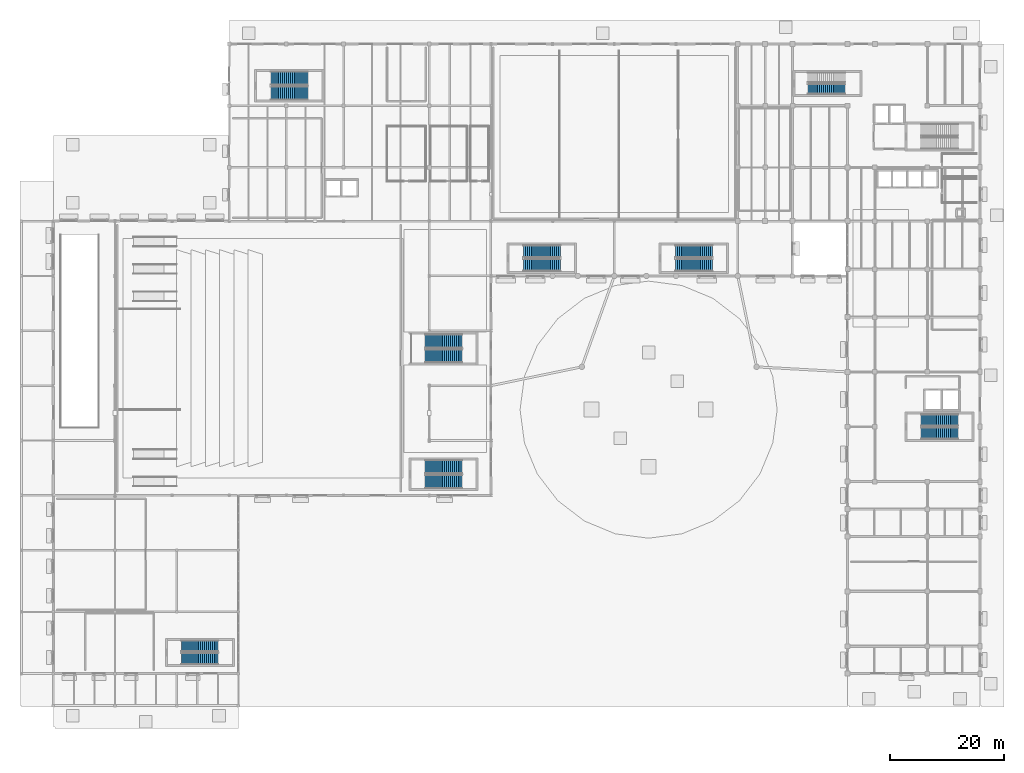
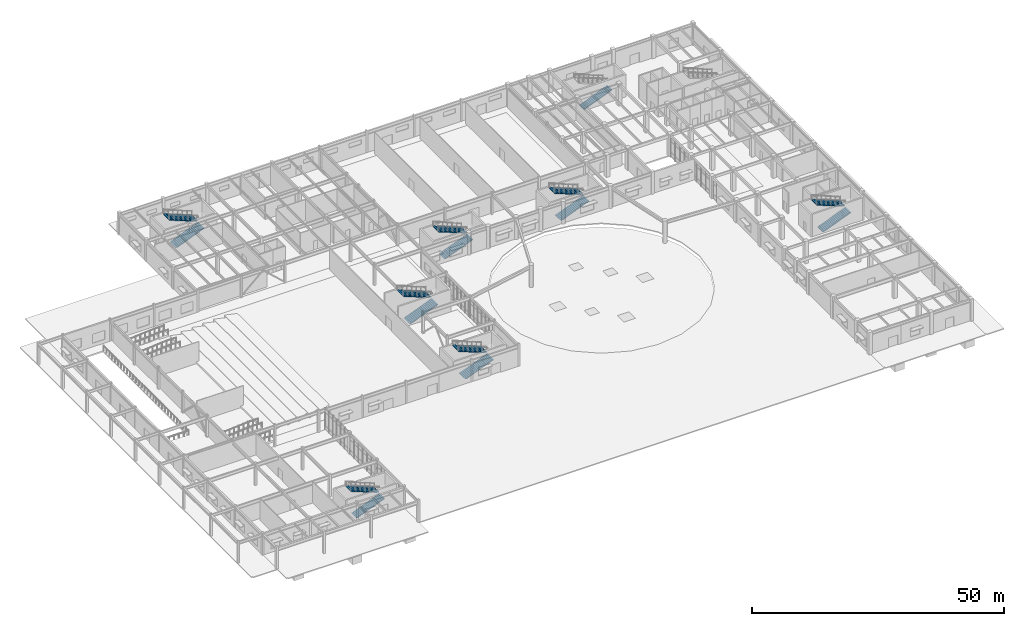
# One storey, part 37 of 54: 15 stair flights, 8 elements without a shape of their own.
"""IFC4 building model written with IfcOpenShell, lengths in metres."""

from ifc_helpers import new_model, si_unit, direction, frame, origin, place, context, subcontext, project, spatial, polyline, outline, extrude, material, type_object, element, aggregate, save


model = new_model("IFC4")

# Units and contexts
model_context = context("Model", 3, precision=1e-05, world=origin(), true_north=direction((0.0, 1.0)))
body_context = subcontext(model_context, "Body", "Model", "MODEL_VIEW")
ifc_project = project(units=[si_unit("LENGTHUNIT", "METRE"), si_unit("AREAUNIT", "SQUARE_METRE"), si_unit("VOLUMEUNIT", "CUBIC_METRE"), si_unit("PLANEANGLEUNIT", "RADIAN"), si_unit("MASSUNIT", "GRAM", prefix="KILO")], contexts=[model_context])

# Site, building, storey
site_placement = place(None, origin())
site = spatial("IfcSite", under=ifc_project, at=site_placement, CompositionType="ELEMENT")
building_placement = place(site_placement, origin())
building = spatial("IfcBuilding", under=site, at=building_placement, Name="Veldera Park Congress Hotel", CompositionType="ELEMENT")
storey_placement = place(building_placement, origin())
storey = spatial("IfcBuildingStorey", under=building, at=storey_placement, Name="L00", CompositionType="ELEMENT", Elevation=0.0)

# Stair, stair flights
ifc_material = material(Name="Concrete f'c 40 MPa (5,800 psi)", Category="concrete")
stair_type_1 = type_object("IfcStairType", Name="ST2", PredefinedType="HALF_TURN_STAIR", material=ifc_material)
stair_1_placement = place(storey_placement, origin())
stair_1 = element("IfcStair", 1, at=stair_1_placement, inside=storey, type_object=stair_type_1, Name="L00 Protected Exit Stair ST2", PredefinedType="HALF_TURN_STAIR")
stair_flight_type_1 = type_object("IfcStairFlightType", Name="SFL-ST2", PredefinedType="STRAIGHT", material=ifc_material)
stair_flight_1_placement = place(storey_placement, frame((73.699951171875, -10.14990234375, 0.0), z_axis=(0.0, 0.0, 1.0), x_axis=(1.0, 0.0, 0.0)))
stair_flight_1 = element("IfcStairFlight", 2, at=stair_flight_1_placement, type_object=stair_flight_type_1, Name="ST2 flight 1", NumberOfRisers=20, NumberOfTreads=19, PredefinedType="STRAIGHT", RiserHeight=0.135, TreadLength=0.34, context=body_context, shape_type="SweptSolid", body=[
    extrude(outline(polyline([(0.0, 0.0), (0.0, 0.135009765625), (0.340087890625, 0.135009765625), (0.340087890625, 0.27001953125), (0.679931640625, 0.27001953125), (0.679931640625, 0.405029296875), (1.02001953125, 0.405029296875), (1.02001953125, 0.5400390625), (1.360107421875, 0.5400390625), (1.360107421875, 0.675048828125), (1.699951171875, 0.675048828125), (1.699951171875, 0.81005859375), (2.0400390625, 0.81005859375), (2.0400390625, 0.945068359375), (2.3798828125, 0.945068359375), (2.3798828125, 1.080078125), (2.719970703125, 1.080078125), (2.719970703125, 1.215087890625), (3.06005859375, 1.215087890625), (3.06005859375, 1.35009765625), (3.39990234375, 1.35009765625), (3.39990234375, 1.485107421875), (3.739990234375, 1.485107421875), (3.739990234375, 1.6201171875), (4.080078125, 1.6201171875), (4.080078125, 1.7548828125), (4.419921875, 1.7548828125), (4.419921875, 1.889892578125), (4.760009765625, 1.889892578125), (4.760009765625, 2.02490234375), (5.10009765625, 2.02490234375), (5.10009765625, 2.159912109375), (5.43994140625, 2.159912109375), (5.43994140625, 2.294921875), (5.780029296875, 2.294921875), (5.780029296875, 2.429931640625), (6.1201171875, 2.429931640625), (6.1201171875, 2.56494140625), (6.4599609375, 2.56494140625), (6.4599609375, 2.699951171875), (6.4599609375, 2.699951171875), (6.4599609375, 2.371337890625), (0.487548828125, 0.0), (0.0, 0.0)])), frame((0.0, 1.050048828125, 0.0), z_axis=(0.0, -1.0, 0.0), x_axis=(1.0, 0.0, 0.0)), (0.0, 0.0, 1.0), 2.10009765625),
])
stair_flight_2_placement = place(storey_placement, frame((80.159912109375, -7.85009765625, 2.699951171875), z_axis=(0.0, 0.0, 1.0), x_axis=(-1.0, 0.0, 0.0)))
stair_flight_2 = element("IfcStairFlight", 3, at=stair_flight_2_placement, type_object=stair_flight_type_1, Name="ST2 flight 2", NumberOfRisers=20, NumberOfTreads=19, PredefinedType="STRAIGHT", RiserHeight=0.135, TreadLength=0.34, context=body_context, shape_type="SweptSolid", body=[
    extrude(outline(polyline([(0.0, 0.0), (0.0, 0.135009765625), (0.340087890625, 0.135009765625), (0.340087890625, 0.27001953125), (0.679931640625, 0.27001953125), (0.679931640625, 0.405029296875), (1.02001953125, 0.405029296875), (1.02001953125, 0.5400390625), (1.360107421875, 0.5400390625), (1.360107421875, 0.675048828125), (1.699951171875, 0.675048828125), (1.699951171875, 0.81005859375), (2.0400390625, 0.81005859375), (2.0400390625, 0.945068359375), (2.3798828125, 0.945068359375), (2.3798828125, 1.080078125), (2.719970703125, 1.080078125), (2.719970703125, 1.215087890625), (3.06005859375, 1.215087890625), (3.06005859375, 1.35009765625), (3.39990234375, 1.35009765625), (3.39990234375, 1.485107421875), (3.739990234375, 1.485107421875), (3.739990234375, 1.6201171875), (4.080078125, 1.6201171875), (4.080078125, 1.7548828125), (4.419921875, 1.7548828125), (4.419921875, 1.889892578125), (4.760009765625, 1.889892578125), (4.760009765625, 2.02490234375), (5.10009765625, 2.02490234375), (5.10009765625, 2.159912109375), (5.43994140625, 2.159912109375), (5.43994140625, 2.294921875), (5.780029296875, 2.294921875), (5.780029296875, 2.429931640625), (6.1201171875, 2.429931640625), (6.1201171875, 2.56494140625), (6.4599609375, 2.56494140625), (6.4599609375, 2.699951171875), (6.4599609375, 2.699951171875), (6.4599609375, 2.371337890625), (0.487548828125, 0.0), (0.0, 0.0)])), frame((0.0, 1.050048828125, 0.0), z_axis=(0.0, -1.0, 0.0), x_axis=(1.0, 0.0, 0.0)), (0.0, 0.0, 1.0), 2.10009765625),
])
aggregate(stair_1, [stair_flight_1, stair_flight_2])

# Stair, stair flight
stair_type_2 = type_object("IfcStairType", Name="ST3", PredefinedType="HALF_TURN_STAIR", material=ifc_material)
stair_2_placement = place(storey_placement, origin())
stair_2 = element("IfcStair", 4, at=stair_2_placement, inside=storey, type_object=stair_type_2, Name="L00 Protected Exit Stair ST3", PredefinedType="HALF_TURN_STAIR")
stair_flight_type_2 = type_object("IfcStairFlightType", Name="SFL-ST3", PredefinedType="STRAIGHT", material=ifc_material)
stair_flight_3_placement = place(storey_placement, frame((53.89990234375, 50.10009765625, 0.0), z_axis=(0.0, 0.0, 1.0), x_axis=(1.0, 0.0, 0.0)))
stair_flight_3 = element("IfcStairFlight", 5, at=stair_flight_3_placement, type_object=stair_flight_type_2, Name="ST3 flight 1", NumberOfRisers=20, NumberOfTreads=19, PredefinedType="STRAIGHT", RiserHeight=0.135, TreadLength=0.34, context=body_context, shape_type="SweptSolid", body=[
    extrude(outline(polyline([(0.0, 0.0), (0.0, 0.135009765625), (0.340087890625, 0.135009765625), (0.340087890625, 0.27001953125), (0.679931640625, 0.27001953125), (0.679931640625, 0.405029296875), (1.02001953125, 0.405029296875), (1.02001953125, 0.5400390625), (1.360107421875, 0.5400390625), (1.360107421875, 0.675048828125), (1.699951171875, 0.675048828125), (1.699951171875, 0.81005859375), (2.0400390625, 0.81005859375), (2.0400390625, 0.945068359375), (2.3798828125, 0.945068359375), (2.3798828125, 1.080078125), (2.719970703125, 1.080078125), (2.719970703125, 1.215087890625), (3.06005859375, 1.215087890625), (3.06005859375, 1.35009765625), (3.39990234375, 1.35009765625), (3.39990234375, 1.485107421875), (3.739990234375, 1.485107421875), (3.739990234375, 1.6201171875), (4.080078125, 1.6201171875), (4.080078125, 1.7548828125), (4.419921875, 1.7548828125), (4.419921875, 1.889892578125), (4.760009765625, 1.889892578125), (4.760009765625, 2.02490234375), (5.10009765625, 2.02490234375), (5.10009765625, 2.159912109375), (5.43994140625, 2.159912109375), (5.43994140625, 2.294921875), (5.780029296875, 2.294921875), (5.780029296875, 2.429931640625), (6.1201171875, 2.429931640625), (6.1201171875, 2.56494140625), (6.4599609375, 2.56494140625), (6.4599609375, 2.699951171875), (6.4599609375, 2.699951171875), (6.4599609375, 2.371337890625), (0.487548828125, 0.0), (0.0, 0.0)])), frame((0.0, 0.89990234375, 0.0), z_axis=(0.0, -1.0, 0.0), x_axis=(1.0, 0.0, 0.0)), (0.0, 0.0, 1.0), 1.800048828125),
])
aggregate(stair_2, [stair_flight_3])

# Stair, stair flights
stair_type_3 = type_object("IfcStairType", Name="ST4", PredefinedType="HALF_TURN_STAIR", material=ifc_material)
stair_3_placement = place(storey_placement, origin())
stair_3 = element("IfcStair", 6, at=stair_3_placement, inside=storey, type_object=stair_type_3, Name="L00 Protected Exit Stair ST4", PredefinedType="HALF_TURN_STAIR")
stair_flight_type_3 = type_object("IfcStairFlightType", Name="SFL-ST4", PredefinedType="STRAIGHT", material=ifc_material)
stair_flight_4_placement = place(storey_placement, frame((-40.10009765625, 49.39990234375, 0.0), z_axis=(0.0, 0.0, 1.0), x_axis=(1.0, 0.0, 0.0)))
stair_flight_4 = element("IfcStairFlight", 7, at=stair_flight_4_placement, type_object=stair_flight_type_3, Name="ST4 flight 1", NumberOfRisers=20, NumberOfTreads=19, PredefinedType="STRAIGHT", RiserHeight=0.135, TreadLength=0.34, context=body_context, shape_type="SweptSolid", body=[
    extrude(outline(polyline([(0.0, 0.0), (0.0, 0.135009765625), (0.340087890625, 0.135009765625), (0.340087890625, 0.27001953125), (0.679931640625, 0.27001953125), (0.679931640625, 0.405029296875), (1.02001953125, 0.405029296875), (1.02001953125, 0.5400390625), (1.360107421875, 0.5400390625), (1.360107421875, 0.675048828125), (1.699951171875, 0.675048828125), (1.699951171875, 0.81005859375), (2.0400390625, 0.81005859375), (2.0400390625, 0.945068359375), (2.3798828125, 0.945068359375), (2.3798828125, 1.080078125), (2.719970703125, 1.080078125), (2.719970703125, 1.215087890625), (3.06005859375, 1.215087890625), (3.06005859375, 1.35009765625), (3.39990234375, 1.35009765625), (3.39990234375, 1.485107421875), (3.739990234375, 1.485107421875), (3.739990234375, 1.6201171875), (4.080078125, 1.6201171875), (4.080078125, 1.7548828125), (4.419921875, 1.7548828125), (4.419921875, 1.889892578125), (4.760009765625, 1.889892578125), (4.760009765625, 2.02490234375), (5.10009765625, 2.02490234375), (5.10009765625, 2.159912109375), (5.43994140625, 2.159912109375), (5.43994140625, 2.294921875), (5.780029296875, 2.294921875), (5.780029296875, 2.429931640625), (6.1201171875, 2.429931640625), (6.1201171875, 2.56494140625), (6.4599609375, 2.56494140625), (6.4599609375, 2.699951171875), (6.4599609375, 2.699951171875), (6.4599609375, 2.371337890625), (0.487548828125, 0.0), (0.0, 0.0)])), frame((0.0, 1.199951171875, 0.0), z_axis=(0.0, -1.0, 0.0), x_axis=(1.0, 0.0, 0.0)), (0.0, 0.0, 1.0), 2.39990234375),
])
stair_flight_5_placement = place(storey_placement, frame((-33.639892578125, 52.0, 2.699951171875), z_axis=(0.0, 0.0, 1.0), x_axis=(-1.0, 0.0, 0.0)))
stair_flight_5 = element("IfcStairFlight", 8, at=stair_flight_5_placement, type_object=stair_flight_type_3, Name="ST4 flight 2", NumberOfRisers=20, NumberOfTreads=19, PredefinedType="STRAIGHT", RiserHeight=0.135, TreadLength=0.34, context=body_context, shape_type="SweptSolid", body=[
    extrude(outline(polyline([(0.0, 0.0), (0.0, 0.135009765625), (0.340087890625, 0.135009765625), (0.340087890625, 0.27001953125), (0.679931640625, 0.27001953125), (0.679931640625, 0.405029296875), (1.02001953125, 0.405029296875), (1.02001953125, 0.5400390625), (1.360107421875, 0.5400390625), (1.360107421875, 0.675048828125), (1.699951171875, 0.675048828125), (1.699951171875, 0.81005859375), (2.0400390625, 0.81005859375), (2.0400390625, 0.945068359375), (2.3798828125, 0.945068359375), (2.3798828125, 1.080078125), (2.719970703125, 1.080078125), (2.719970703125, 1.215087890625), (3.06005859375, 1.215087890625), (3.06005859375, 1.35009765625), (3.39990234375, 1.35009765625), (3.39990234375, 1.485107421875), (3.739990234375, 1.485107421875), (3.739990234375, 1.6201171875), (4.080078125, 1.6201171875), (4.080078125, 1.7548828125), (4.419921875, 1.7548828125), (4.419921875, 1.889892578125), (4.760009765625, 1.889892578125), (4.760009765625, 2.02490234375), (5.10009765625, 2.02490234375), (5.10009765625, 2.159912109375), (5.43994140625, 2.159912109375), (5.43994140625, 2.294921875), (5.780029296875, 2.294921875), (5.780029296875, 2.429931640625), (6.1201171875, 2.429931640625), (6.1201171875, 2.56494140625), (6.4599609375, 2.56494140625), (6.4599609375, 2.699951171875), (6.4599609375, 2.699951171875), (6.4599609375, 2.371337890625), (0.487548828125, 0.0), (0.0, 0.0)])), frame((0.0, 1.199951171875, 0.0), z_axis=(0.0, -1.0, 0.0), x_axis=(1.0, 0.0, 0.0)), (0.0, 0.0, 1.0), 2.39990234375),
])
aggregate(stair_3, [stair_flight_4, stair_flight_5])

stair_type_4 = type_object("IfcStairType", Name="ST5", PredefinedType="HALF_TURN_STAIR", material=ifc_material)
stair_4_placement = place(storey_placement, origin())
stair_4 = element("IfcStair", 9, at=stair_4_placement, inside=storey, type_object=stair_type_4, Name="L00 Protected Exit Stair ST5", PredefinedType="HALF_TURN_STAIR")
stair_flight_type_4 = type_object("IfcStairFlightType", Name="SFL-ST5", PredefinedType="STRAIGHT", material=ifc_material)
stair_flight_6_placement = place(storey_placement, frame((-13.10009765625, -18.60009765625, 0.0), z_axis=(0.0, 0.0, 1.0), x_axis=(1.0, 0.0, 0.0)))
stair_flight_6 = element("IfcStairFlight", 10, at=stair_flight_6_placement, type_object=stair_flight_type_4, Name="ST5 flight 1", NumberOfRisers=20, NumberOfTreads=19, PredefinedType="STRAIGHT", RiserHeight=0.135, TreadLength=0.34, context=body_context, shape_type="SweptSolid", body=[
    extrude(outline(polyline([(0.0, 0.0), (0.0, 0.135009765625), (0.340087890625, 0.135009765625), (0.340087890625, 0.27001953125), (0.679931640625, 0.27001953125), (0.679931640625, 0.405029296875), (1.02001953125, 0.405029296875), (1.02001953125, 0.5400390625), (1.360107421875, 0.5400390625), (1.360107421875, 0.675048828125), (1.699951171875, 0.675048828125), (1.699951171875, 0.81005859375), (2.0400390625, 0.81005859375), (2.0400390625, 0.945068359375), (2.3798828125, 0.945068359375), (2.3798828125, 1.080078125), (2.719970703125, 1.080078125), (2.719970703125, 1.215087890625), (3.06005859375, 1.215087890625), (3.06005859375, 1.35009765625), (3.39990234375, 1.35009765625), (3.39990234375, 1.485107421875), (3.739990234375, 1.485107421875), (3.739990234375, 1.6201171875), (4.080078125, 1.6201171875), (4.080078125, 1.7548828125), (4.419921875, 1.7548828125), (4.419921875, 1.889892578125), (4.760009765625, 1.889892578125), (4.760009765625, 2.02490234375), (5.10009765625, 2.02490234375), (5.10009765625, 2.159912109375), (5.43994140625, 2.159912109375), (5.43994140625, 2.294921875), (5.780029296875, 2.294921875), (5.780029296875, 2.429931640625), (6.1201171875, 2.429931640625), (6.1201171875, 2.56494140625), (6.4599609375, 2.56494140625), (6.4599609375, 2.699951171875), (6.4599609375, 2.699951171875), (6.4599609375, 2.371337890625), (0.487548828125, 0.0), (0.0, 0.0)])), frame((0.0, 1.199951171875, 0.0), z_axis=(0.0, -1.0, 0.0), x_axis=(1.0, 0.0, 0.0)), (0.0, 0.0, 1.0), 2.39990234375),
])
stair_flight_7_placement = place(storey_placement, frame((-6.639892578125, -16.0, 2.699951171875), z_axis=(0.0, 0.0, 1.0), x_axis=(-1.0, 0.0, 0.0)))
stair_flight_7 = element("IfcStairFlight", 11, at=stair_flight_7_placement, type_object=stair_flight_type_4, Name="ST5 flight 2", NumberOfRisers=20, NumberOfTreads=19, PredefinedType="STRAIGHT", RiserHeight=0.135, TreadLength=0.34, context=body_context, shape_type="SweptSolid", body=[
    extrude(outline(polyline([(0.0, 0.0), (0.0, 0.135009765625), (0.340087890625, 0.135009765625), (0.340087890625, 0.27001953125), (0.679931640625, 0.27001953125), (0.679931640625, 0.405029296875), (1.02001953125, 0.405029296875), (1.02001953125, 0.5400390625), (1.360107421875, 0.5400390625), (1.360107421875, 0.675048828125), (1.699951171875, 0.675048828125), (1.699951171875, 0.81005859375), (2.0400390625, 0.81005859375), (2.0400390625, 0.945068359375), (2.3798828125, 0.945068359375), (2.3798828125, 1.080078125), (2.719970703125, 1.080078125), (2.719970703125, 1.215087890625), (3.06005859375, 1.215087890625), (3.06005859375, 1.35009765625), (3.39990234375, 1.35009765625), (3.39990234375, 1.485107421875), (3.739990234375, 1.485107421875), (3.739990234375, 1.6201171875), (4.080078125, 1.6201171875), (4.080078125, 1.7548828125), (4.419921875, 1.7548828125), (4.419921875, 1.889892578125), (4.760009765625, 1.889892578125), (4.760009765625, 2.02490234375), (5.10009765625, 2.02490234375), (5.10009765625, 2.159912109375), (5.43994140625, 2.159912109375), (5.43994140625, 2.294921875), (5.780029296875, 2.294921875), (5.780029296875, 2.429931640625), (6.1201171875, 2.429931640625), (6.1201171875, 2.56494140625), (6.4599609375, 2.56494140625), (6.4599609375, 2.699951171875), (6.4599609375, 2.699951171875), (6.4599609375, 2.371337890625), (0.487548828125, 0.0), (0.0, 0.0)])), frame((0.0, 1.199951171875, 0.0), z_axis=(0.0, -1.0, 0.0), x_axis=(1.0, 0.0, 0.0)), (0.0, 0.0, 1.0), 2.39990234375),
])
aggregate(stair_4, [stair_flight_6, stair_flight_7])

stair_type_5 = type_object("IfcStairType", Name="ST6", PredefinedType="HALF_TURN_STAIR", material=ifc_material)
stair_5_placement = place(storey_placement, origin())
stair_5 = element("IfcStair", 12, at=stair_5_placement, inside=storey, type_object=stair_type_5, Name="L00 Protected Exit Stair ST6", PredefinedType="HALF_TURN_STAIR")
stair_flight_type_5 = type_object("IfcStairFlightType", Name="SFL-ST6", PredefinedType="STRAIGHT", material=ifc_material)
stair_flight_8_placement = place(storey_placement, frame((4.10009765625, 19.300048828125, 0.0), z_axis=(0.0, 0.0, 1.0), x_axis=(1.0, 0.0, 0.0)))
stair_flight_8 = element("IfcStairFlight", 13, at=stair_flight_8_placement, type_object=stair_flight_type_5, Name="ST6 flight 1", NumberOfRisers=20, NumberOfTreads=19, PredefinedType="STRAIGHT", RiserHeight=0.135, TreadLength=0.34, context=body_context, shape_type="SweptSolid", body=[
    extrude(outline(polyline([(0.0, 0.0), (0.0, 0.135009765625), (0.340087890625, 0.135009765625), (0.340087890625, 0.27001953125), (0.679931640625, 0.27001953125), (0.679931640625, 0.405029296875), (1.02001953125, 0.405029296875), (1.02001953125, 0.5400390625), (1.360107421875, 0.5400390625), (1.360107421875, 0.675048828125), (1.699951171875, 0.675048828125), (1.699951171875, 0.81005859375), (2.0400390625, 0.81005859375), (2.0400390625, 0.945068359375), (2.3798828125, 0.945068359375), (2.3798828125, 1.080078125), (2.719970703125, 1.080078125), (2.719970703125, 1.215087890625), (3.06005859375, 1.215087890625), (3.06005859375, 1.35009765625), (3.39990234375, 1.35009765625), (3.39990234375, 1.485107421875), (3.739990234375, 1.485107421875), (3.739990234375, 1.6201171875), (4.080078125, 1.6201171875), (4.080078125, 1.7548828125), (4.419921875, 1.7548828125), (4.419921875, 1.889892578125), (4.760009765625, 1.889892578125), (4.760009765625, 2.02490234375), (5.10009765625, 2.02490234375), (5.10009765625, 2.159912109375), (5.43994140625, 2.159912109375), (5.43994140625, 2.294921875), (5.780029296875, 2.294921875), (5.780029296875, 2.429931640625), (6.1201171875, 2.429931640625), (6.1201171875, 2.56494140625), (6.4599609375, 2.56494140625), (6.4599609375, 2.699951171875), (6.4599609375, 2.699951171875), (6.4599609375, 2.371337890625), (0.487548828125, 0.0), (0.0, 0.0)])), frame((0.0, 1.10009765625, 0.0), z_axis=(0.0, -1.0, 0.0), x_axis=(1.0, 0.0, 0.0)), (0.0, 0.0, 1.0), 2.199951171875),
])
stair_flight_9_placement = place(storey_placement, frame((10.56005859375, 21.699951171875, 2.699951171875), z_axis=(0.0, 0.0, 1.0), x_axis=(-1.0, 0.0, 0.0)))
stair_flight_9 = element("IfcStairFlight", 14, at=stair_flight_9_placement, type_object=stair_flight_type_5, Name="ST6 flight 2", NumberOfRisers=20, NumberOfTreads=19, PredefinedType="STRAIGHT", RiserHeight=0.135, TreadLength=0.34, context=body_context, shape_type="SweptSolid", body=[
    extrude(outline(polyline([(0.0, 0.0), (0.0, 0.135009765625), (0.340087890625, 0.135009765625), (0.340087890625, 0.27001953125), (0.679931640625, 0.27001953125), (0.679931640625, 0.405029296875), (1.02001953125, 0.405029296875), (1.02001953125, 0.5400390625), (1.360107421875, 0.5400390625), (1.360107421875, 0.675048828125), (1.699951171875, 0.675048828125), (1.699951171875, 0.81005859375), (2.0400390625, 0.81005859375), (2.0400390625, 0.945068359375), (2.3798828125, 0.945068359375), (2.3798828125, 1.080078125), (2.719970703125, 1.080078125), (2.719970703125, 1.215087890625), (3.06005859375, 1.215087890625), (3.06005859375, 1.35009765625), (3.39990234375, 1.35009765625), (3.39990234375, 1.485107421875), (3.739990234375, 1.485107421875), (3.739990234375, 1.6201171875), (4.080078125, 1.6201171875), (4.080078125, 1.7548828125), (4.419921875, 1.7548828125), (4.419921875, 1.889892578125), (4.760009765625, 1.889892578125), (4.760009765625, 2.02490234375), (5.10009765625, 2.02490234375), (5.10009765625, 2.159912109375), (5.43994140625, 2.159912109375), (5.43994140625, 2.294921875), (5.780029296875, 2.294921875), (5.780029296875, 2.429931640625), (6.1201171875, 2.429931640625), (6.1201171875, 2.56494140625), (6.4599609375, 2.56494140625), (6.4599609375, 2.699951171875), (6.4599609375, 2.699951171875), (6.4599609375, 2.371337890625), (0.487548828125, 0.0), (0.0, 0.0)])), frame((0.0, 1.10009765625, 0.0), z_axis=(0.0, -1.0, 0.0), x_axis=(1.0, 0.0, 0.0)), (0.0, 0.0, 1.0), 2.199951171875),
])
aggregate(stair_5, [stair_flight_8, stair_flight_9])

stair_type_6 = type_object("IfcStairType", Name="ST7", PredefinedType="HALF_TURN_STAIR", material=ifc_material)
stair_6_placement = place(storey_placement, origin())
stair_6 = element("IfcStair", 15, at=stair_6_placement, inside=storey, type_object=stair_type_6, Name="L00 Protected Exit Stair ST7", PredefinedType="HALF_TURN_STAIR")
stair_flight_type_6 = type_object("IfcStairFlightType", Name="SFL-ST7", PredefinedType="STRAIGHT", material=ifc_material)
stair_flight_10_placement = place(storey_placement, frame((30.699951171875, 19.300048828125, 0.0), z_axis=(0.0, 0.0, 1.0), x_axis=(1.0, 0.0, 0.0)))
stair_flight_10 = element("IfcStairFlight", 16, at=stair_flight_10_placement, type_object=stair_flight_type_6, Name="ST7 flight 1", NumberOfRisers=20, NumberOfTreads=19, PredefinedType="STRAIGHT", RiserHeight=0.135, TreadLength=0.34, context=body_context, shape_type="SweptSolid", body=[
    extrude(outline(polyline([(0.0, 0.0), (0.0, 0.135009765625), (0.340087890625, 0.135009765625), (0.340087890625, 0.27001953125), (0.679931640625, 0.27001953125), (0.679931640625, 0.405029296875), (1.02001953125, 0.405029296875), (1.02001953125, 0.5400390625), (1.360107421875, 0.5400390625), (1.360107421875, 0.675048828125), (1.699951171875, 0.675048828125), (1.699951171875, 0.81005859375), (2.0400390625, 0.81005859375), (2.0400390625, 0.945068359375), (2.3798828125, 0.945068359375), (2.3798828125, 1.080078125), (2.719970703125, 1.080078125), (2.719970703125, 1.215087890625), (3.06005859375, 1.215087890625), (3.06005859375, 1.35009765625), (3.39990234375, 1.35009765625), (3.39990234375, 1.485107421875), (3.739990234375, 1.485107421875), (3.739990234375, 1.6201171875), (4.080078125, 1.6201171875), (4.080078125, 1.7548828125), (4.419921875, 1.7548828125), (4.419921875, 1.889892578125), (4.760009765625, 1.889892578125), (4.760009765625, 2.02490234375), (5.10009765625, 2.02490234375), (5.10009765625, 2.159912109375), (5.43994140625, 2.159912109375), (5.43994140625, 2.294921875), (5.780029296875, 2.294921875), (5.780029296875, 2.429931640625), (6.1201171875, 2.429931640625), (6.1201171875, 2.56494140625), (6.4599609375, 2.56494140625), (6.4599609375, 2.699951171875), (6.4599609375, 2.699951171875), (6.4599609375, 2.371337890625), (0.487548828125, 0.0), (0.0, 0.0)])), frame((0.0, 1.10009765625, 0.0), z_axis=(0.0, -1.0, 0.0), x_axis=(1.0, 0.0, 0.0)), (0.0, 0.0, 1.0), 2.199951171875),
])
stair_flight_11_placement = place(storey_placement, frame((37.159912109375, 21.699951171875, 2.699951171875), z_axis=(0.0, 0.0, 1.0), x_axis=(-1.0, 0.0, 0.0)))
stair_flight_11 = element("IfcStairFlight", 17, at=stair_flight_11_placement, type_object=stair_flight_type_6, Name="ST7 flight 2", NumberOfRisers=20, NumberOfTreads=19, PredefinedType="STRAIGHT", RiserHeight=0.135, TreadLength=0.34, context=body_context, shape_type="SweptSolid", body=[
    extrude(outline(polyline([(0.0, 0.0), (0.0, 0.135009765625), (0.340087890625, 0.135009765625), (0.340087890625, 0.27001953125), (0.679931640625, 0.27001953125), (0.679931640625, 0.405029296875), (1.02001953125, 0.405029296875), (1.02001953125, 0.5400390625), (1.360107421875, 0.5400390625), (1.360107421875, 0.675048828125), (1.699951171875, 0.675048828125), (1.699951171875, 0.81005859375), (2.0400390625, 0.81005859375), (2.0400390625, 0.945068359375), (2.3798828125, 0.945068359375), (2.3798828125, 1.080078125), (2.719970703125, 1.080078125), (2.719970703125, 1.215087890625), (3.06005859375, 1.215087890625), (3.06005859375, 1.35009765625), (3.39990234375, 1.35009765625), (3.39990234375, 1.485107421875), (3.739990234375, 1.485107421875), (3.739990234375, 1.6201171875), (4.080078125, 1.6201171875), (4.080078125, 1.7548828125), (4.419921875, 1.7548828125), (4.419921875, 1.889892578125), (4.760009765625, 1.889892578125), (4.760009765625, 2.02490234375), (5.10009765625, 2.02490234375), (5.10009765625, 2.159912109375), (5.43994140625, 2.159912109375), (5.43994140625, 2.294921875), (5.780029296875, 2.294921875), (5.780029296875, 2.429931640625), (6.1201171875, 2.429931640625), (6.1201171875, 2.56494140625), (6.4599609375, 2.56494140625), (6.4599609375, 2.699951171875), (6.4599609375, 2.699951171875), (6.4599609375, 2.371337890625), (0.487548828125, 0.0), (0.0, 0.0)])), frame((0.0, 1.10009765625, 0.0), z_axis=(0.0, -1.0, 0.0), x_axis=(1.0, 0.0, 0.0)), (0.0, 0.0, 1.0), 2.199951171875),
])
aggregate(stair_6, [stair_flight_10, stair_flight_11])

stair_type_7 = type_object("IfcStairType", Name="ST8", PredefinedType="HALF_TURN_STAIR", material=ifc_material)
stair_7_placement = place(storey_placement, origin())
stair_7 = element("IfcStair", 18, at=stair_7_placement, inside=storey, type_object=stair_type_7, Name="L00 Protected Exit Stair ST8", PredefinedType="HALF_TURN_STAIR")
stair_flight_type_7 = type_object("IfcStairFlightType", Name="SFL-ST8", PredefinedType="STRAIGHT", material=ifc_material)
stair_flight_12_placement = place(storey_placement, frame((-55.800048828125, -49.60009765625, 0.0), z_axis=(0.0, 0.0, 1.0), x_axis=(1.0, 0.0, 0.0)))
stair_flight_12 = element("IfcStairFlight", 19, at=stair_flight_12_placement, type_object=stair_flight_type_7, Name="ST8 flight 1", NumberOfRisers=20, NumberOfTreads=19, PredefinedType="STRAIGHT", RiserHeight=0.135, TreadLength=0.34, context=body_context, shape_type="SweptSolid", body=[
    extrude(outline(polyline([(0.0, 0.0), (0.0, 0.135009765625), (0.340087890625, 0.135009765625), (0.340087890625, 0.27001953125), (0.679931640625, 0.27001953125), (0.679931640625, 0.405029296875), (1.02001953125, 0.405029296875), (1.02001953125, 0.5400390625), (1.360107421875, 0.5400390625), (1.360107421875, 0.675048828125), (1.699951171875, 0.675048828125), (1.699951171875, 0.81005859375), (2.0400390625, 0.81005859375), (2.0400390625, 0.945068359375), (2.3798828125, 0.945068359375), (2.3798828125, 1.080078125), (2.719970703125, 1.080078125), (2.719970703125, 1.215087890625), (3.06005859375, 1.215087890625), (3.06005859375, 1.35009765625), (3.39990234375, 1.35009765625), (3.39990234375, 1.485107421875), (3.739990234375, 1.485107421875), (3.739990234375, 1.6201171875), (4.080078125, 1.6201171875), (4.080078125, 1.7548828125), (4.419921875, 1.7548828125), (4.419921875, 1.889892578125), (4.760009765625, 1.889892578125), (4.760009765625, 2.02490234375), (5.10009765625, 2.02490234375), (5.10009765625, 2.159912109375), (5.43994140625, 2.159912109375), (5.43994140625, 2.294921875), (5.780029296875, 2.294921875), (5.780029296875, 2.429931640625), (6.1201171875, 2.429931640625), (6.1201171875, 2.56494140625), (6.4599609375, 2.56494140625), (6.4599609375, 2.699951171875), (6.4599609375, 2.699951171875), (6.4599609375, 2.371337890625), (0.487548828125, 0.0), (0.0, 0.0)])), frame((0.0, 1.0, 0.0), z_axis=(0.0, -1.0, 0.0), x_axis=(1.0, 0.0, 0.0)), (0.0, 0.0, 1.0), 2.0),
])
stair_flight_13_placement = place(storey_placement, frame((-49.340087890625, -47.39990234375, 2.699951171875), z_axis=(0.0, 0.0, 1.0), x_axis=(-1.0, 0.0, 0.0)))
stair_flight_13 = element("IfcStairFlight", 20, at=stair_flight_13_placement, type_object=stair_flight_type_7, Name="ST8 flight 2", NumberOfRisers=20, NumberOfTreads=19, PredefinedType="STRAIGHT", RiserHeight=0.135, TreadLength=0.34, context=body_context, shape_type="SweptSolid", body=[
    extrude(outline(polyline([(0.0, 0.0), (0.0, 0.135009765625), (0.340087890625, 0.135009765625), (0.340087890625, 0.27001953125), (0.679931640625, 0.27001953125), (0.679931640625, 0.405029296875), (1.02001953125, 0.405029296875), (1.02001953125, 0.5400390625), (1.360107421875, 0.5400390625), (1.360107421875, 0.675048828125), (1.699951171875, 0.675048828125), (1.699951171875, 0.81005859375), (2.0400390625, 0.81005859375), (2.0400390625, 0.945068359375), (2.3798828125, 0.945068359375), (2.3798828125, 1.080078125), (2.719970703125, 1.080078125), (2.719970703125, 1.215087890625), (3.06005859375, 1.215087890625), (3.06005859375, 1.35009765625), (3.39990234375, 1.35009765625), (3.39990234375, 1.485107421875), (3.739990234375, 1.485107421875), (3.739990234375, 1.6201171875), (4.080078125, 1.6201171875), (4.080078125, 1.7548828125), (4.419921875, 1.7548828125), (4.419921875, 1.889892578125), (4.760009765625, 1.889892578125), (4.760009765625, 2.02490234375), (5.10009765625, 2.02490234375), (5.10009765625, 2.159912109375), (5.43994140625, 2.159912109375), (5.43994140625, 2.294921875), (5.780029296875, 2.294921875), (5.780029296875, 2.429931640625), (6.1201171875, 2.429931640625), (6.1201171875, 2.56494140625), (6.4599609375, 2.56494140625), (6.4599609375, 2.699951171875), (6.4599609375, 2.699951171875), (6.4599609375, 2.371337890625), (0.487548828125, 0.0), (0.0, 0.0)])), frame((0.0, 1.0, 0.0), z_axis=(0.0, -1.0, 0.0), x_axis=(1.0, 0.0, 0.0)), (0.0, 0.0, 1.0), 2.0),
])
aggregate(stair_7, [stair_flight_12, stair_flight_13])

stair_type_8 = type_object("IfcStairType", Name="ST9", PredefinedType="HALF_TURN_STAIR", material=ifc_material)
stair_8_placement = place(storey_placement, origin())
stair_8 = element("IfcStair", 21, at=stair_8_placement, inside=storey, type_object=stair_type_8, Name="L00 Monumental Foyer Stair ST9", PredefinedType="HALF_TURN_STAIR")
stair_flight_type_8 = type_object("IfcStairFlightType", Name="SFL-ST9", PredefinedType="STRAIGHT", material=ifc_material)
stair_flight_14_placement = place(storey_placement, frame((-13.10009765625, 3.39990234375, 0.0), z_axis=(0.0, 0.0, 1.0), x_axis=(1.0, 0.0, 0.0)))
stair_flight_14 = element("IfcStairFlight", 22, at=stair_flight_14_placement, type_object=stair_flight_type_8, Name="ST9 flight 1", NumberOfRisers=20, NumberOfTreads=19, PredefinedType="STRAIGHT", RiserHeight=0.135, TreadLength=0.34, context=body_context, shape_type="SweptSolid", body=[
    extrude(outline(polyline([(0.0, 0.0), (0.0, 0.135009765625), (0.340087890625, 0.135009765625), (0.340087890625, 0.27001953125), (0.679931640625, 0.27001953125), (0.679931640625, 0.405029296875), (1.02001953125, 0.405029296875), (1.02001953125, 0.5400390625), (1.360107421875, 0.5400390625), (1.360107421875, 0.675048828125), (1.699951171875, 0.675048828125), (1.699951171875, 0.81005859375), (2.0400390625, 0.81005859375), (2.0400390625, 0.945068359375), (2.3798828125, 0.945068359375), (2.3798828125, 1.080078125), (2.719970703125, 1.080078125), (2.719970703125, 1.215087890625), (3.06005859375, 1.215087890625), (3.06005859375, 1.35009765625), (3.39990234375, 1.35009765625), (3.39990234375, 1.485107421875), (3.739990234375, 1.485107421875), (3.739990234375, 1.6201171875), (4.080078125, 1.6201171875), (4.080078125, 1.7548828125), (4.419921875, 1.7548828125), (4.419921875, 1.889892578125), (4.760009765625, 1.889892578125), (4.760009765625, 2.02490234375), (5.10009765625, 2.02490234375), (5.10009765625, 2.159912109375), (5.43994140625, 2.159912109375), (5.43994140625, 2.294921875), (5.780029296875, 2.294921875), (5.780029296875, 2.429931640625), (6.1201171875, 2.429931640625), (6.1201171875, 2.56494140625), (6.4599609375, 2.56494140625), (6.4599609375, 2.699951171875), (6.4599609375, 2.699951171875), (6.4599609375, 2.371337890625), (0.487548828125, 0.0), (0.0, 0.0)])), frame((0.0, 1.199951171875, 0.0), z_axis=(0.0, -1.0, 0.0), x_axis=(1.0, 0.0, 0.0)), (0.0, 0.0, 1.0), 2.39990234375),
])
stair_flight_15_placement = place(storey_placement, frame((-6.639892578125, 6.0, 2.699951171875), z_axis=(0.0, 0.0, 1.0), x_axis=(-1.0, 0.0, 0.0)))
stair_flight_15 = element("IfcStairFlight", 23, at=stair_flight_15_placement, type_object=stair_flight_type_8, Name="ST9 flight 2", NumberOfRisers=20, NumberOfTreads=19, PredefinedType="STRAIGHT", RiserHeight=0.135, TreadLength=0.34, context=body_context, shape_type="SweptSolid", body=[
    extrude(outline(polyline([(0.0, 0.0), (0.0, 0.135009765625), (0.340087890625, 0.135009765625), (0.340087890625, 0.27001953125), (0.679931640625, 0.27001953125), (0.679931640625, 0.405029296875), (1.02001953125, 0.405029296875), (1.02001953125, 0.5400390625), (1.360107421875, 0.5400390625), (1.360107421875, 0.675048828125), (1.699951171875, 0.675048828125), (1.699951171875, 0.81005859375), (2.0400390625, 0.81005859375), (2.0400390625, 0.945068359375), (2.3798828125, 0.945068359375), (2.3798828125, 1.080078125), (2.719970703125, 1.080078125), (2.719970703125, 1.215087890625), (3.06005859375, 1.215087890625), (3.06005859375, 1.35009765625), (3.39990234375, 1.35009765625), (3.39990234375, 1.485107421875), (3.739990234375, 1.485107421875), (3.739990234375, 1.6201171875), (4.080078125, 1.6201171875), (4.080078125, 1.7548828125), (4.419921875, 1.7548828125), (4.419921875, 1.889892578125), (4.760009765625, 1.889892578125), (4.760009765625, 2.02490234375), (5.10009765625, 2.02490234375), (5.10009765625, 2.159912109375), (5.43994140625, 2.159912109375), (5.43994140625, 2.294921875), (5.780029296875, 2.294921875), (5.780029296875, 2.429931640625), (6.1201171875, 2.429931640625), (6.1201171875, 2.56494140625), (6.4599609375, 2.56494140625), (6.4599609375, 2.699951171875), (6.4599609375, 2.699951171875), (6.4599609375, 2.371337890625), (0.487548828125, 0.0), (0.0, 0.0)])), frame((0.0, 1.199951171875, 0.0), z_axis=(0.0, -1.0, 0.0), x_axis=(1.0, 0.0, 0.0)), (0.0, 0.0, 1.0), 2.39990234375),
])
aggregate(stair_8, [stair_flight_14, stair_flight_15])

save(model, "model.ifc")
